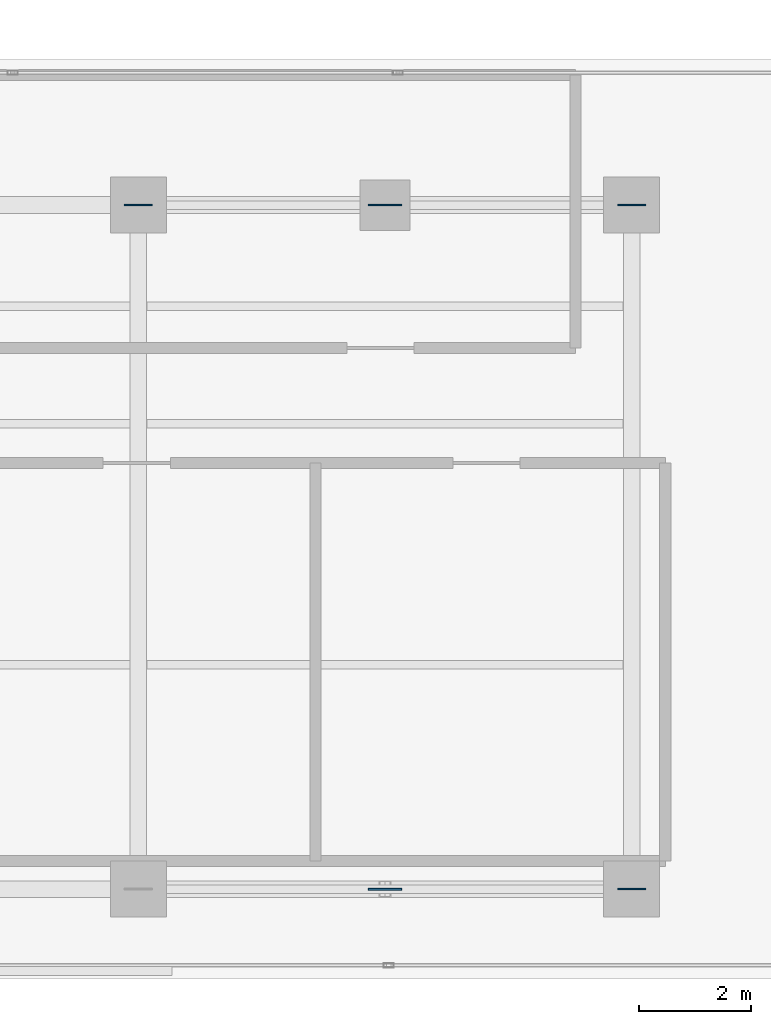
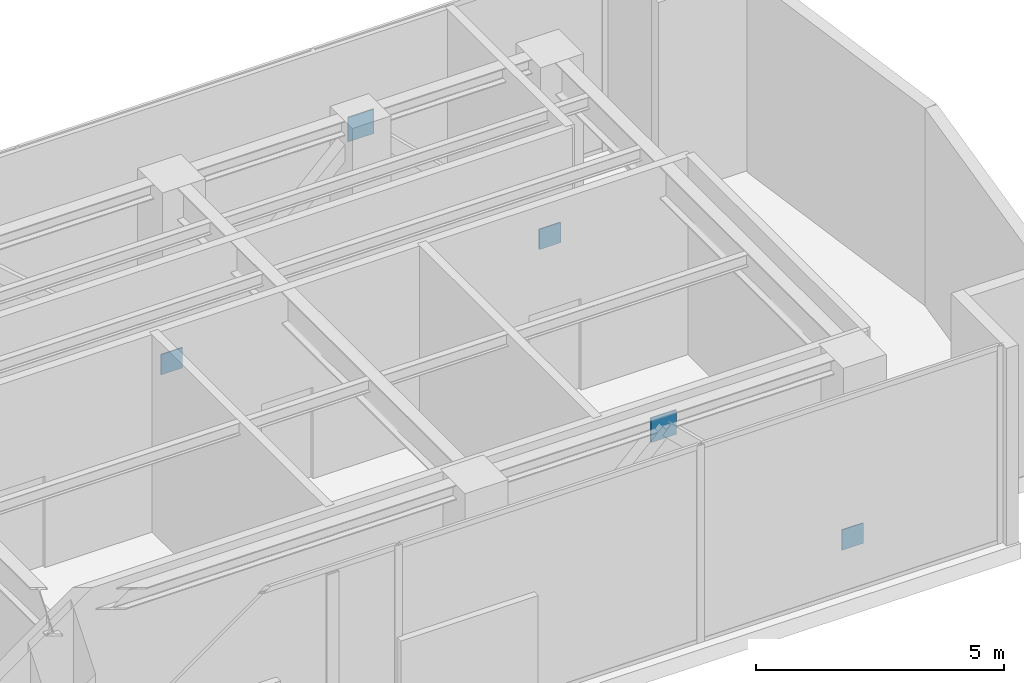
# One storey, part 25 of 31: 5 plates.
"""IFC4 building model written with IfcOpenShell, lengths in metres."""

from ifc_helpers import new_model, si_unit, direction, frame, origin, origin_with_axes, origin_2d, place, context, subcontext, project, spatial, rectangle, extrude, source, transform, mapped, material, layer, layer_set, type_object, element, save


model = new_model("IFC4")

# Units and contexts
model_context = context("Model", 3, precision=1e-05, world=origin(), true_north=direction((0.0, 1.0)))
body_context = subcontext(model_context, "Body", "Model", "MODEL_VIEW")
ifc_project = project(units=[si_unit("LENGTHUNIT", "METRE"), si_unit("AREAUNIT", "SQUARE_METRE"), si_unit("VOLUMEUNIT", "CUBIC_METRE"), si_unit("PLANEANGLEUNIT", "RADIAN"), si_unit("MASSUNIT", "GRAM", prefix="KILO")], contexts=[model_context])

# Site, building, storey
site_placement = place(None, origin())
site = spatial("IfcSite", under=ifc_project, at=site_placement, CompositionType="ELEMENT")
building_placement = place(site_placement, origin())
building = spatial("IfcBuilding", under=site, at=building_placement, Name="Kolvaren Waterfront Exchange", CompositionType="ELEMENT")
storey_placement = place(building_placement, frame((0.0, 0.0, 257.699951171875)))
storey = spatial("IfcBuildingStorey", under=building, at=storey_placement, Name="L66", CompositionType="ELEMENT", Elevation=257.699951171875)

# Plates
ifc_material_1 = material(Name="Steel S460", Category="steel")
ifc_layer_1 = layer(ifc_material_1, 0.030029296875, Name="Steel S460")
ifc_layer_set_1 = layer_set([ifc_layer_1], Name="Steel S460")
plate_type_1 = type_object("IfcPlateType", Name="STR-PL-BN1", PredefinedType="SHEET", material=ifc_layer_set_1)
shared_shape_1 = source(origin_with_axes(), body_context, "Body", "SweptSolid", [
    extrude(rectangle(XDim=0.60009765625, YDim=0.030029296875, at=origin_2d()), origin(), (0.0, 0.0, 1.0), 0.60009765625),
])
for number, where, z_axis, x_axis, name in (
    (1, (41.199951171875, 17.39990234375, 4.2099609375), (0.0, 0.0, 1.0), (1.0, 0.0, 0.0), "L66 belt-truss chevron apex gusset BT2"),
    (2, (41.199951171875, 5.199951171875, 4.2099609375), (0.0, 0.0, 1.0), (1.0, 0.0, 0.0), "L66 belt-truss chevron apex gusset BT3"),
):
    element("IfcPlate", number, at=place(storey_placement, frame(where, z_axis=z_axis, x_axis=x_axis)), inside=storey, type_object=plate_type_1, Name=name, PredefinedType="SHEET", context=body_context, shape_type="MappedRepresentation", body=[
        mapped(shared_shape_1, transform((0.0, 0.0, 0.0), x_axis=(1.0, 0.0, 0.0), y_axis=(0.0, 1.0, 0.0), z_axis=(0.0, 0.0, 1.0), scale=1.0)),
    ])
ifc_material_2 = material(Name="Steel S355", Category="steel")
ifc_layer_2 = layer(ifc_material_2, 0.02490234375, Name="Steel S355")
ifc_layer_set_2 = layer_set([ifc_layer_2], Name="Steel S355")
plate_type_2 = type_object("IfcPlateType", Name="STR-PL-BN2", PredefinedType="SHEET", material=ifc_layer_set_2)
shared_shape_2 = source(origin_with_axes(), body_context, "Body", "SweptSolid", [
    extrude(rectangle(XDim=0.5, YDim=0.02490234375, at=origin_2d()), origin(), (0.0, 0.0, 1.0), 0.5),
])
for number, where, z_axis, x_axis, name in (
    (3, (36.800048828125, 17.39990234375, 0.0), (0.0, 0.0, 1.0), (1.0, 0.0, 0.0), "L66 belt-truss end cap plate BT1.2"),
    (4, (45.60009765625, 17.39990234375, 0.0), (0.0, 0.0, 1.0), (1.0, 0.0, 0.0), "L66 belt-truss end cap plate BT2.2"),
    (5, (45.60009765625, 5.199951171875, 0.0), (0.0, 0.0, 1.0), (1.0, 0.0, 0.0), "L66 belt-truss end cap plate BT3.2"),
):
    element("IfcPlate", number, at=place(storey_placement, frame(where, z_axis=z_axis, x_axis=x_axis)), inside=storey, type_object=plate_type_2, Name=name, PredefinedType="SHEET", context=body_context, shape_type="MappedRepresentation", body=[
        mapped(shared_shape_2, transform((0.0, 0.0, 0.0), x_axis=(1.0, 0.0, 0.0), y_axis=(0.0, 1.0, 0.0), z_axis=(0.0, 0.0, 1.0), scale=1.0)),
    ])

save(model, "model.ifc")
